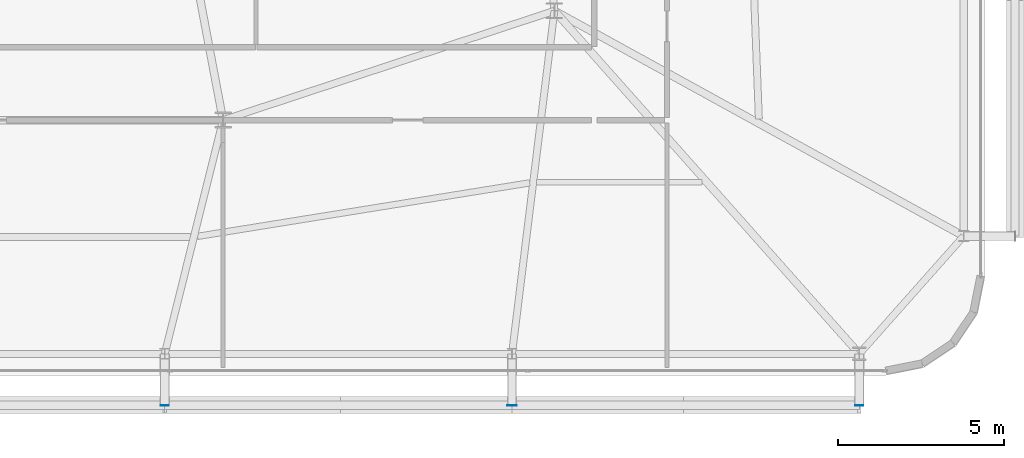
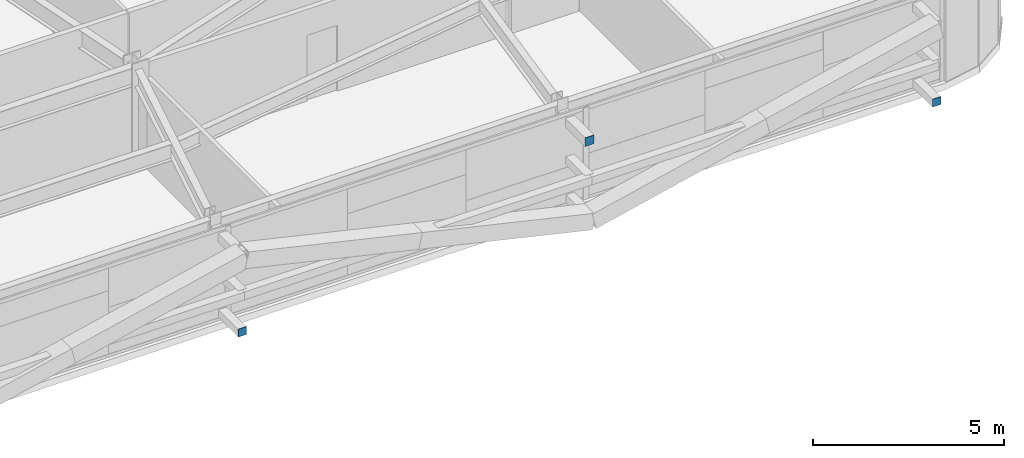
# One storey, part 34 of 44: 3 plates.
"""IFC4 building model written with IfcOpenShell, lengths in metres."""

from ifc_helpers import new_model, si_unit, direction, frame, origin, origin_2d, place, context, subcontext, project, spatial, rectangle, extrude, source, transform, mapped, material, layer, layer_set, type_object, element, save


model = new_model("IFC4")

# Units and contexts
model_context = context("Model", 3, precision=1e-05, world=origin(), true_north=direction((0.0, 1.0)))
body_context = subcontext(model_context, "Body", "Model", "MODEL_VIEW")
ifc_project = project(units=[si_unit("LENGTHUNIT", "METRE"), si_unit("AREAUNIT", "SQUARE_METRE"), si_unit("VOLUMEUNIT", "CUBIC_METRE"), si_unit("PLANEANGLEUNIT", "RADIAN"), si_unit("MASSUNIT", "GRAM", prefix="KILO")], contexts=[model_context])

# Site, building, storey
site_placement = place(None, origin())
site = spatial("IfcSite", under=ifc_project, at=site_placement, CompositionType="ELEMENT")
building_placement = place(site_placement, origin())
building = spatial("IfcBuilding", under=site, at=building_placement, Name="Taldren Reach Tower", CompositionType="ELEMENT")
storey_placement = place(building_placement, frame((0.0, 0.0, 42.0)))
storey = spatial("IfcBuildingStorey", under=building, at=storey_placement, Name="L12", CompositionType="ELEMENT", Elevation=42.0)

# Plates
ifc_material_1 = material(Name="Steel Gr 450 (C450L0)", Category="steel")
ifc_layer_1 = layer(ifc_material_1, 0.011962890625)
ifc_layer_set_1 = layer_set([ifc_layer_1], Name="Steel Gr 450 (C450L0)")
plate_type_1 = type_object("IfcPlateType", Name="PL-CAP-275", PredefinedType="SHEET", material=ifc_layer_set_1)
shared_shape_1 = source(origin(), body_context, "Body", "SweptSolid", [
    extrude(rectangle(XDim=0.27490234375, YDim=0.011962890625, at=origin_2d()), origin(), (0.0, 0.0, 1.0), 0.27490234375),
])
plate_placement = place(storey_placement, frame((50.719970703125, 0.593994140625, 2.512451171875), z_axis=(0.0, 0.0, 1.0), x_axis=(1.0, 0.0, 0.0)))
element("IfcPlate", 1, at=plate_placement, inside=storey, type_object=plate_type_1, Name="Tie strut end cap plate B1-S5 L12", PredefinedType="SHEET", context=body_context, shape_type="MappedRepresentation", body=[
    mapped(shared_shape_1, transform((0.0, 0.0, 0.0), scale=1.0)),
])
ifc_material_2 = material(Name="Steel Gr 350 (C350L0)", Category="steel")
ifc_layer_2 = layer(ifc_material_2, 0.011962890625)
ifc_layer_set_2 = layer_set([ifc_layer_2], Name="Steel Gr 350 (C350L0)")
plate_type_2 = type_object("IfcPlateType", Name="PL-CAP-250", PredefinedType="SHEET", material=ifc_layer_set_2)
shared_shape_2 = source(origin(), body_context, "Body", "SweptSolid", [
    extrude(rectangle(XDim=0.25, YDim=0.011962890625, at=origin_2d()), origin(), (0.0, 0.0, 1.0), 0.25),
])
for number, where, z_axis, x_axis, name in (
    (2, (40.239990234375, 0.593994140625, 0.094970703125), (0.0, 0.0, 1.0), (1.0, 0.0, 0.0), "Tie strut end cap plate B1-S4 L12"),
    (3, (61.199951171875, 0.593994140625, 0.094970703125), (0.0, 0.0, 1.0), (1.0, 0.0, 0.0), "Tie strut end cap plate B1-S6 L12"),
):
    element("IfcPlate", number, at=place(storey_placement, frame(where, z_axis=z_axis, x_axis=x_axis)), inside=storey, type_object=plate_type_2, Name=name, PredefinedType="SHEET", context=body_context, shape_type="MappedRepresentation", body=[
        mapped(shared_shape_2, transform((0.0, 0.0, 0.0), scale=1.0)),
    ])

save(model, "model.ifc")
